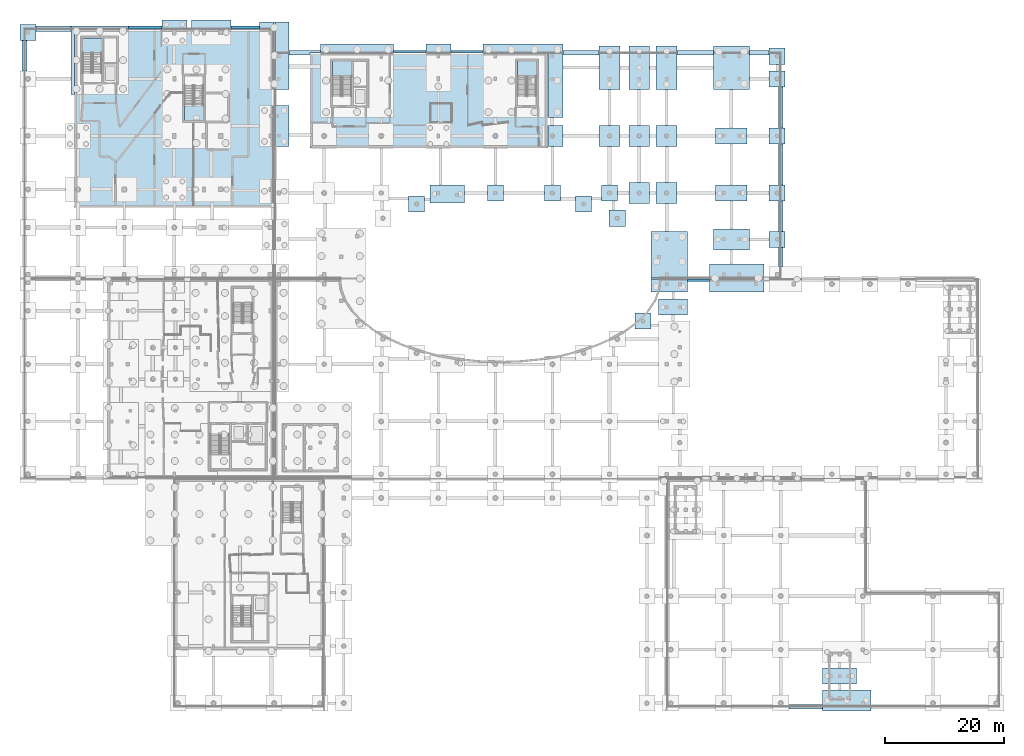
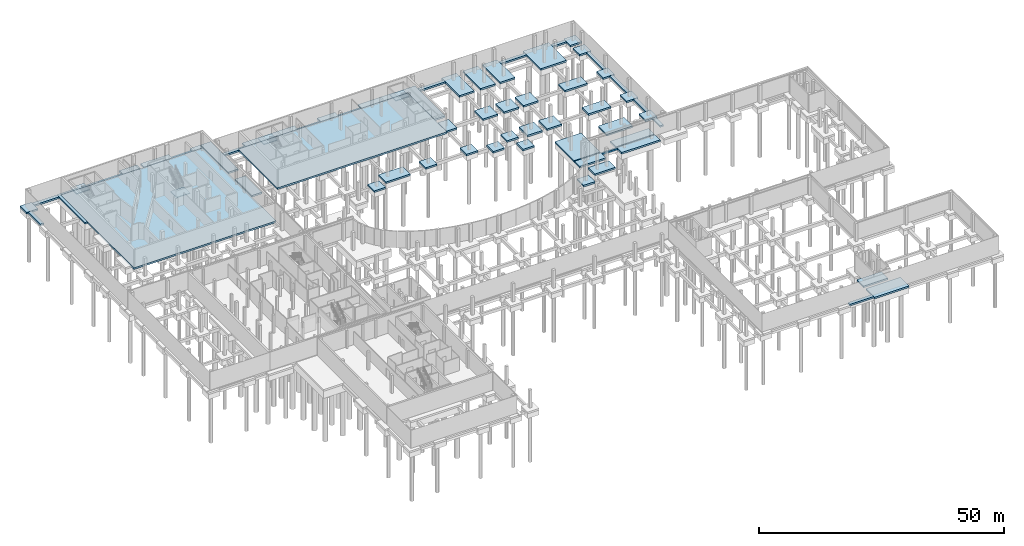
# One storey, part 18 of 40: 65 slabs, 4 elements without a shape of their own.
"""IFC4 building model written with IfcOpenShell, lengths in metres."""

from ifc_helpers import new_model, si_unit, direction, frame, origin, place, context, subcontext, project, spatial, polyline, outline, extrude, material, layer, layer_set, type_object, element, aggregate, save


model = new_model("IFC4")

# Units and contexts
model_context = context("Model", 3, precision=1e-05, world=origin(), true_north=direction((0.0, 1.0)))
body_context = subcontext(model_context, "Body", "Model", "MODEL_VIEW")
ifc_project = project(units=[si_unit("LENGTHUNIT", "METRE"), si_unit("AREAUNIT", "SQUARE_METRE"), si_unit("VOLUMEUNIT", "CUBIC_METRE"), si_unit("PLANEANGLEUNIT", "RADIAN"), si_unit("MASSUNIT", "GRAM", prefix="KILO")], contexts=[model_context])

# Site, building, storey
site_placement = place(None, origin())
site = spatial("IfcSite", under=ifc_project, at=site_placement, CompositionType="ELEMENT")
building_placement = place(site_placement, origin())
building = spatial("IfcBuilding", under=site, at=building_placement, Name="Mzevani Central Library", CompositionType="ELEMENT")
storey_placement = place(building_placement, frame((0.0, 0.0, -4.5)))
storey = spatial("IfcBuildingStorey", under=building, at=storey_placement, Name="B1", CompositionType="ELEMENT", Elevation=-4.5)

# Slabs
ifc_material_1 = material(Name="Concrete C40/50", Category="concrete")
ifc_layer_1 = layer(ifc_material_1, 0.419921875, Name="Basement Mat Base Slab 420")
ifc_layer_set_1 = layer_set([ifc_layer_1], Name="Concrete C40/50")
slab_type_1 = type_object("IfcSlabType", Name="Basement Mat Base Slab 420", PredefinedType="BASESLAB", material=ifc_layer_set_1)
slab_1_placement = place(storey_placement, frame((0.0, 0.0, -0.419921875)))
element("IfcSlab", 1, at=slab_1_placement, inside=storey, type_object=slab_type_1, Name="B1 Foundation Plinth Collar (32)", PredefinedType="BASESLAB", context=body_context, shape_type="SweptSolid", body=[
    extrude(outline(polyline([(110.64990234375, 72.550048828125), (115.550048828125, 72.550048828125), (115.550048828125, 69.85009765625), (110.64990234375, 69.85009765625), (110.64990234375, 72.550048828125)])), origin(), (0.0, 0.0, 1.0), 0.419921875),
])
slab_2_placement = place(storey_placement, frame((0.0, 0.0, -0.419921875)))
element("IfcSlab", 2, at=slab_2_placement, inside=storey, type_object=slab_type_1, Name="B1 Foundation Plinth Collar (33)", PredefinedType="BASESLAB", context=body_context, shape_type="SweptSolid", body=[
    extrude(outline(polyline([(109.37890625, 75.89990234375), (115.550048828125, 75.89990234375), (115.550048828125, 73.75), (109.37890625, 73.75), (109.37890625, 75.89990234375)])), origin(), (0.0, 0.0, 1.0), 0.419921875),
])
slab_3_placement = place(storey_placement, frame((0.0, 0.0, -0.419921875)))
element("IfcSlab", 3, at=slab_3_placement, inside=storey, type_object=slab_type_1, Name="B1 Foundation Plinth Collar (34)", PredefinedType="BASESLAB", context=body_context, shape_type="SweptSolid", body=[
    extrude(outline(polyline([(109.37890625, 83.949951171875), (115.550048828125, 83.949951171875), (115.550048828125, 76.10009765625), (109.37890625, 76.10009765625), (109.37890625, 83.949951171875)])), origin(), (0.0, 0.0, 1.0), 0.419921875),
])
slab_4_placement = place(storey_placement, frame((0.0, 0.0, -0.419921875)))
element("IfcSlab", 4, at=slab_4_placement, inside=storey, type_object=slab_type_1, Name="B1 Foundation Plinth Collar (45)", PredefinedType="BASESLAB", context=body_context, shape_type="SweptSolid", body=[
    extrude(outline(polyline([(119.25, 75.89990234375), (128.35009765625, 75.89990234375), (128.35009765625, 73.75), (119.25, 73.75), (119.25, 75.89990234375)])), origin(), (0.0, 0.0, 1.0), 0.419921875),
])
slab_5_placement = place(storey_placement, frame((0.0, 0.0, -0.419921875)))
element("IfcSlab", 5, at=slab_5_placement, inside=storey, type_object=slab_type_1, Name="B1 Foundation Plinth Collar (46)", PredefinedType="BASESLAB", context=body_context, shape_type="SweptSolid", body=[
    extrude(outline(polyline([(119.25, 78.449951171875), (128.35009765625, 78.449951171875), (128.35009765625, 76.10009765625), (119.25, 76.10009765625), (119.25, 78.449951171875)])), origin(), (0.0, 0.0, 1.0), 0.419921875),
])
slab_6_placement = place(storey_placement, frame((0.0, 0.0, -0.419921875)))
element("IfcSlab", 6, at=slab_6_placement, inside=storey, type_object=slab_type_1, Name="B1 Foundation Plinth Collar (69)", PredefinedType="BASESLAB", context=body_context, shape_type="SweptSolid", body=[
    extrude(outline(polyline([(106.674072265625, 70.200927734375), (109.3740234375, 70.200927734375), (109.3740234375, 67.5009765625), (106.674072265625, 67.5009765625), (106.674072265625, 70.200927734375)])), origin(), (0.0, 0.0, 1.0), 0.419921875),
])
slab_7_placement = place(storey_placement, frame((0.0, 0.0, -0.419921875)))
element("IfcSlab", 7, at=slab_7_placement, inside=storey, type_object=slab_type_1, Name="B1 Foundation Plinth Collar (76)", PredefinedType="BASESLAB", context=body_context, shape_type="SweptSolid", body=[
    extrude(outline(polyline([(3.25, 118.75), (5.949951171875, 118.75), (5.949951171875, 116.050048828125), (3.25, 116.050048828125), (3.25, 118.75)])), origin(), (0.0, 0.0, 1.0), 0.419921875),
])
slab_8_placement = place(storey_placement, frame((0.0, 0.0, -0.419921875)))
element("IfcSlab", 8, at=slab_8_placement, inside=storey, type_object=slab_type_1, Name="B1 Foundation Plinth Collar (87)", PredefinedType="BASESLAB", context=body_context, shape_type="SweptSolid", body=[
    extrude(outline(polyline([(31.300048828125, 119.5), (31.300048828125, 118.02001953125), (27.10009765625, 118.02001953125), (27.10009765625, 119.5), (31.300048828125, 119.5)])), origin(), (0.0, 0.0, 1.0), 0.419921875),
])
slab_9_placement = place(storey_placement, frame((0.0, 0.0, -0.419921875)))
element("IfcSlab", 9, at=slab_9_placement, inside=storey, type_object=slab_type_1, Name="B1 Foundation Plinth Collar (89)", PredefinedType="BASESLAB", context=body_context, shape_type="SweptSolid", body=[
    extrude(outline(polyline([(38.75, 119.5), (38.75, 118.02001953125), (32.10009765625, 118.02001953125), (32.10009765625, 119.5), (38.75, 119.5)])), origin(), (0.0, 0.0, 1.0), 0.419921875),
])
slab_10_placement = place(storey_placement, frame((0.0, 0.0, -0.419921875)))
element("IfcSlab", 10, at=slab_10_placement, inside=storey, type_object=slab_type_1, Name="B1 Foundation Plinth Collar (93)", PredefinedType="BASESLAB", context=body_context, shape_type="SweptSolid", body=[
    extrude(outline(polyline([(48.5, 98.25), (46.10009765625, 98.25), (46.10009765625, 105.10009765625), (48.5, 105.10009765625), (48.5, 98.25)])), origin(), (0.0, 0.0, 1.0), 0.419921875),
])
slab_11_placement = place(storey_placement, frame((0.0, 0.0, -0.419921875)))
element("IfcSlab", 11, at=slab_11_placement, inside=storey, type_object=slab_type_1, Name="B1 Foundation Plinth Collar (94)", PredefinedType="BASESLAB", context=body_context, shape_type="SweptSolid", body=[
    extrude(outline(polyline([(45.89990234375, 119.14990234375), (45.89990234375, 118.02001953125), (43.550048828125, 118.02001953125), (43.550048828125, 119.14990234375), (45.89990234375, 119.14990234375)])), origin(), (0.0, 0.0, 1.0), 0.419921875),
])
slab_12_placement = place(storey_placement, frame((0.0, 0.0, -0.419921875)))
element("IfcSlab", 12, at=slab_12_placement, inside=storey, type_object=slab_type_1, Name="B1 Foundation Plinth Collar (95)", PredefinedType="BASESLAB", context=body_context, shape_type="SweptSolid", body=[
    extrude(outline(polyline([(48.5, 119.14990234375), (48.5, 107.85009765625), (46.10009765625, 107.85009765625), (46.10009765625, 119.14990234375), (48.5, 119.14990234375)])), origin(), (0.0, 0.0, 1.0), 0.419921875),
])
slab_13_placement = place(storey_placement, frame((0.0, 0.0, -0.419921875)))
element("IfcSlab", 13, at=slab_13_placement, inside=storey, type_object=slab_type_1, Name="B1 Foundation Plinth Collar (98)", PredefinedType="BASESLAB", context=body_context, shape_type="SweptSolid", body=[
    extrude(outline(polyline([(66.10009765625, 115.5), (66.10009765625, 114.02001953125), (53.800048828125, 114.02001953125), (53.800048828125, 115.5), (66.10009765625, 115.5)])), origin(), (0.0, 0.0, 1.0), 0.419921875),
])
slab_14_placement = place(storey_placement, frame((0.0, 0.0, -0.419921875)))
element("IfcSlab", 14, at=slab_14_placement, inside=storey, type_object=slab_type_1, Name="B1 Foundation Plinth Collar (99)", PredefinedType="BASESLAB", context=body_context, shape_type="SweptSolid", body=[
    extrude(outline(polyline([(72.25, 91.75), (78.02197265625, 91.75), (78.02197265625, 88.74609375), (72.25, 88.74609375), (72.25, 91.75)])), origin(), (0.0, 0.0, 1.0), 0.419921875),
])
slab_15_placement = place(storey_placement, frame((0.0, 0.0, -0.419921875)))
element("IfcSlab", 15, at=slab_15_placement, inside=storey, type_object=slab_type_1, Name="B1 Foundation Plinth Collar (100)", PredefinedType="BASESLAB", context=body_context, shape_type="SweptSolid", body=[
    extrude(outline(polyline([(75.699951171875, 115.5), (75.699951171875, 114.02001953125), (71.5, 114.02001953125), (71.5, 115.5), (75.699951171875, 115.5)])), origin(), (0.0, 0.0, 1.0), 0.419921875),
])
slab_16_placement = place(storey_placement, frame((0.0, 0.0, -0.419921875)))
element("IfcSlab", 16, at=slab_16_placement, inside=storey, type_object=slab_type_1, Name="B1 Foundation Plinth Collar (101)", PredefinedType="BASESLAB", context=body_context, shape_type="SweptSolid", body=[
    extrude(outline(polyline([(81.85009765625, 91.75), (84.550048828125, 91.75), (84.550048828125, 89.050048828125), (81.85009765625, 89.050048828125), (81.85009765625, 91.75)])), origin(), (0.0, 0.0, 1.0), 0.419921875),
])
slab_17_placement = place(storey_placement, frame((0.0, 0.0, -0.419921875)))
element("IfcSlab", 17, at=slab_17_placement, inside=storey, type_object=slab_type_1, Name="B1 Foundation Plinth Collar (102)", PredefinedType="BASESLAB", context=body_context, shape_type="SweptSolid", body=[
    extrude(outline(polyline([(94.550048828125, 115.5), (94.550048828125, 103.10009765625), (92.02001953125, 103.10009765625), (92.0126953125, 114.015380859375), (81.10009765625, 114.02001953125), (81.10009765625, 115.5), (94.550048828125, 115.5)])), origin(), (0.0, 0.0, 1.0), 0.419921875),
])
slab_18_placement = place(storey_placement, frame((0.0, 0.0, -0.419921875)))
element("IfcSlab", 18, at=slab_18_placement, inside=storey, type_object=slab_type_1, Name="B1 Foundation Plinth Collar (103)", PredefinedType="BASESLAB", context=body_context, shape_type="SweptSolid", body=[
    extrude(outline(polyline([(91.449951171875, 91.75), (94.14990234375, 91.75), (94.14990234375, 89.050048828125), (91.449951171875, 89.050048828125), (91.449951171875, 91.75)])), origin(), (0.0, 0.0, 1.0), 0.419921875),
])
slab_19_placement = place(storey_placement, frame((0.0, 0.0, -0.419921875)))
element("IfcSlab", 19, at=slab_19_placement, inside=storey, type_object=slab_type_1, Name="B1 Foundation Plinth Collar (104)", PredefinedType="BASESLAB", context=body_context, shape_type="SweptSolid", body=[
    extrude(outline(polyline([(94.550048828125, 98.25), (92.02001953125, 98.25), (92.02001953125, 101.75), (94.550048828125, 101.75), (94.550048828125, 98.25)])), origin(), (0.0, 0.0, 1.0), 0.419921875),
])
slab_20_placement = place(storey_placement, frame((0.0, 0.0, -0.419921875)))
element("IfcSlab", 20, at=slab_20_placement, inside=storey, type_object=slab_type_1, Name="B1 Foundation Plinth Collar (105)", PredefinedType="BASESLAB", context=body_context, shape_type="SweptSolid", body=[
    extrude(outline(polyline([(101.050048828125, 91.75), (103.75, 91.75), (103.75, 89.050048828125), (101.050048828125, 89.050048828125), (101.050048828125, 91.75)])), origin(), (0.0, 0.0, 1.0), 0.419921875),
])
slab_21_placement = place(storey_placement, frame((0.0, 0.0, -0.419921875)))
element("IfcSlab", 21, at=slab_21_placement, inside=storey, type_object=slab_type_1, Name="B1 Foundation Plinth Collar (106)", PredefinedType="BASESLAB", context=body_context, shape_type="SweptSolid", body=[
    extrude(outline(polyline([(100.64990234375, 101.75), (104.14990234375, 101.75), (104.14990234375, 98.25), (100.64990234375, 98.25), (100.64990234375, 101.75)])), origin(), (0.0, 0.0, 1.0), 0.419921875),
])
slab_22_placement = place(storey_placement, frame((0.0, 0.0, -0.419921875)))
element("IfcSlab", 22, at=slab_22_placement, inside=storey, type_object=slab_type_1, Name="B1 Foundation Plinth Collar (107)", PredefinedType="BASESLAB", context=body_context, shape_type="SweptSolid", body=[
    extrude(outline(polyline([(100.64990234375, 115.14990234375), (104.14990234375, 115.14990234375), (104.14990234375, 107.85009765625), (100.64990234375, 107.85009765625), (100.64990234375, 115.14990234375)])), origin(), (0.0, 0.0, 1.0), 0.419921875),
])
slab_23_placement = place(storey_placement, frame((0.0, 0.0, -0.419921875)))
element("IfcSlab", 23, at=slab_23_placement, inside=storey, type_object=slab_type_1, Name="B1 Foundation Plinth Collar (108)", PredefinedType="BASESLAB", context=body_context, shape_type="SweptSolid", body=[
    extrude(outline(polyline([(105.64990234375, 92.14990234375), (109.14990234375, 92.14990234375), (109.14990234375, 88.64990234375), (105.64990234375, 88.64990234375), (105.64990234375, 92.14990234375)])), origin(), (0.0, 0.0, 1.0), 0.419921875),
])
slab_24_placement = place(storey_placement, frame((0.0, 0.0, -0.419921875)))
element("IfcSlab", 24, at=slab_24_placement, inside=storey, type_object=slab_type_1, Name="B1 Foundation Plinth Collar (109)", PredefinedType="BASESLAB", context=body_context, shape_type="SweptSolid", body=[
    extrude(outline(polyline([(105.64990234375, 101.75), (109.14990234375, 101.75), (109.14990234375, 98.25), (105.64990234375, 98.25), (105.64990234375, 101.75)])), origin(), (0.0, 0.0, 1.0), 0.419921875),
])
slab_25_placement = place(storey_placement, frame((0.0, 0.0, -0.419921875)))
element("IfcSlab", 25, at=slab_25_placement, inside=storey, type_object=slab_type_1, Name="B1 Foundation Plinth Collar (110)", PredefinedType="BASESLAB", context=body_context, shape_type="SweptSolid", body=[
    extrude(outline(polyline([(105.64990234375, 115.14990234375), (109.14990234375, 115.14990234375), (109.14990234375, 107.85009765625), (105.64990234375, 107.85009765625), (105.64990234375, 115.14990234375)])), origin(), (0.0, 0.0, 1.0), 0.419921875),
])
slab_26_placement = place(storey_placement, frame((0.0, 0.0, -0.419921875)))
element("IfcSlab", 26, at=slab_26_placement, inside=storey, type_object=slab_type_1, Name="B1 Foundation Plinth Collar (111)", PredefinedType="BASESLAB", context=body_context, shape_type="SweptSolid", body=[
    extrude(outline(polyline([(110.25, 92.14990234375), (113.75, 92.14990234375), (113.75, 88.64990234375), (110.25, 88.64990234375), (110.25, 92.14990234375)])), origin(), (0.0, 0.0, 1.0), 0.419921875),
])
slab_27_placement = place(storey_placement, frame((0.0, 0.0, -0.419921875)))
element("IfcSlab", 27, at=slab_27_placement, inside=storey, type_object=slab_type_1, Name="B1 Foundation Plinth Collar (112)", PredefinedType="BASESLAB", context=body_context, shape_type="SweptSolid", body=[
    extrude(outline(polyline([(110.25, 101.75), (113.75, 101.75), (113.75, 98.25), (110.25, 98.25), (110.25, 101.75)])), origin(), (0.0, 0.0, 1.0), 0.419921875),
])
slab_28_placement = place(storey_placement, frame((0.0, 0.0, -0.419921875)))
element("IfcSlab", 28, at=slab_28_placement, inside=storey, type_object=slab_type_1, Name="B1 Foundation Plinth Collar (113)", PredefinedType="BASESLAB", context=body_context, shape_type="SweptSolid", body=[
    extrude(outline(polyline([(110.25, 115.14990234375), (113.75, 115.14990234375), (113.75, 107.85009765625), (110.25, 107.85009765625), (110.25, 115.14990234375)])), origin(), (0.0, 0.0, 1.0), 0.419921875),
])
slab_29_placement = place(storey_placement, frame((0.0, 0.0, -0.419921875)))
element("IfcSlab", 29, at=slab_29_placement, inside=storey, type_object=slab_type_1, Name="B1 Foundation Plinth Collar (114)", PredefinedType="BASESLAB", context=body_context, shape_type="SweptSolid", body=[
    extrude(outline(polyline([(119.85009765625, 84.35009765625), (125.949951171875, 84.35009765625), (125.949951171875, 80.85009765625), (119.85009765625, 80.85009765625), (119.85009765625, 84.35009765625)])), origin(), (0.0, 0.0, 1.0), 0.419921875),
])
slab_30_placement = place(storey_placement, frame((0.0, 0.0, -0.419921875)))
element("IfcSlab", 30, at=slab_30_placement, inside=storey, type_object=slab_type_1, Name="B1 Foundation Plinth Collar (115)", PredefinedType="BASESLAB", context=body_context, shape_type="SweptSolid", body=[
    extrude(outline(polyline([(120.25, 91.75), (125.550048828125, 91.75), (125.550048828125, 89.050048828125), (120.25, 89.050048828125), (120.25, 91.75)])), origin(), (0.0, 0.0, 1.0), 0.419921875),
])
slab_31_placement = place(storey_placement, frame((0.0, 0.0, -0.419921875)))
element("IfcSlab", 31, at=slab_31_placement, inside=storey, type_object=slab_type_1, Name="B1 Foundation Plinth Collar (116)", PredefinedType="BASESLAB", context=body_context, shape_type="SweptSolid", body=[
    extrude(outline(polyline([(120.25, 101.35009765625), (125.550048828125, 101.35009765625), (125.550048828125, 98.64990234375), (120.25, 98.64990234375), (120.25, 101.35009765625)])), origin(), (0.0, 0.0, 1.0), 0.419921875),
])
slab_32_placement = place(storey_placement, frame((0.0, 0.0, -0.419921875)))
element("IfcSlab", 32, at=slab_32_placement, inside=storey, type_object=slab_type_1, Name="B1 Foundation Plinth Collar (117)", PredefinedType="BASESLAB", context=body_context, shape_type="SweptSolid", body=[
    extrude(outline(polyline([(119.85009765625, 115.14990234375), (125.949951171875, 115.14990234375), (125.949951171875, 107.85009765625), (119.85009765625, 107.85009765625), (119.85009765625, 115.14990234375)])), origin(), (0.0, 0.0, 1.0), 0.419921875),
])
slab_33_placement = place(storey_placement, frame((0.0, 0.0, -0.419921875)))
element("IfcSlab", 33, at=slab_33_placement, inside=storey, type_object=slab_type_1, Name="B1 Foundation Plinth Collar (118)", PredefinedType="BASESLAB", context=body_context, shape_type="SweptSolid", body=[
    extrude(outline(polyline([(129.25, 83.949951171875), (131.949951171875, 83.949951171875), (131.949951171875, 81.25), (129.25, 81.25), (129.25, 83.949951171875)])), origin(), (0.0, 0.0, 1.0), 0.419921875),
])
slab_34_placement = place(storey_placement, frame((0.0, 0.0, -0.419921875)))
element("IfcSlab", 34, at=slab_34_placement, inside=storey, type_object=slab_type_1, Name="B1 Foundation Plinth Collar (119)", PredefinedType="BASESLAB", context=body_context, shape_type="SweptSolid", body=[
    extrude(outline(polyline([(129.25, 91.75), (131.949951171875, 91.75), (131.949951171875, 89.050048828125), (129.25, 89.050048828125), (129.25, 91.75)])), origin(), (0.0, 0.0, 1.0), 0.419921875),
])
slab_35_placement = place(storey_placement, frame((0.0, 0.0, -0.419921875)))
element("IfcSlab", 35, at=slab_35_placement, inside=storey, type_object=slab_type_1, Name="B1 Foundation Plinth Collar (120)", PredefinedType="BASESLAB", context=body_context, shape_type="SweptSolid", body=[
    extrude(outline(polyline([(129.25, 101.35009765625), (131.949951171875, 101.35009765625), (131.949951171875, 98.64990234375), (129.25, 98.64990234375), (129.25, 101.35009765625)])), origin(), (0.0, 0.0, 1.0), 0.419921875),
])
slab_36_placement = place(storey_placement, frame((0.0, 0.0, -0.419921875)))
element("IfcSlab", 36, at=slab_36_placement, inside=storey, type_object=slab_type_1, Name="B1 Foundation Plinth Collar (121)", PredefinedType="BASESLAB", context=body_context, shape_type="SweptSolid", body=[
    extrude(outline(polyline([(129.25, 110.949951171875), (131.949951171875, 110.949951171875), (131.949951171875, 108.25), (129.25, 108.25), (129.25, 110.949951171875)])), origin(), (0.0, 0.0, 1.0), 0.419921875),
])
slab_37_placement = place(storey_placement, frame((0.0, 0.0, -0.419921875)))
element("IfcSlab", 37, at=slab_37_placement, inside=storey, type_object=slab_type_1, Name="B1 Foundation Plinth Collar (122)", PredefinedType="BASESLAB", context=body_context, shape_type="SweptSolid", body=[
    extrude(outline(polyline([(129.25, 114.75), (131.949951171875, 114.75), (131.949951171875, 112.050048828125), (129.25, 112.050048828125), (129.25, 114.75)])), origin(), (0.0, 0.0, 1.0), 0.419921875),
])
slab_38_placement = place(storey_placement, frame((0.0, 0.0, -0.419921875)))
element("IfcSlab", 38, at=slab_38_placement, inside=storey, type_object=slab_type_1, Name="B1 Foundation Plinth Collar (123)", PredefinedType="BASESLAB", context=body_context, shape_type="SweptSolid", body=[
    extrude(outline(polyline([(102.35595703125, 87.506103515625), (105.055908203125, 87.506103515625), (105.055908203125, 84.805908203125), (102.35595703125, 84.805908203125), (102.35595703125, 87.506103515625)])), origin(), (0.0, 0.0, 1.0), 0.419921875),
])
slab_39_placement = place(storey_placement, frame((0.0, 0.0, -0.419921875)))
element("IfcSlab", 39, at=slab_39_placement, inside=storey, type_object=slab_type_1, Name="B1 Foundation Plinth Collar (124)", PredefinedType="BASESLAB", context=body_context, shape_type="SweptSolid", body=[
    extrude(outline(polyline([(96.68408203125, 89.8779296875), (99.384033203125, 89.8779296875), (99.384033203125, 87.177978515625), (96.68408203125, 87.177978515625), (96.68408203125, 89.8779296875)])), origin(), (0.0, 0.0, 1.0), 0.419921875),
])
slab_40_placement = place(storey_placement, frame((0.0, 0.0, -0.419921875)))
element("IfcSlab", 40, at=slab_40_placement, inside=storey, type_object=slab_type_1, Name="B1 Foundation Plinth Collar (125)", PredefinedType="BASESLAB", context=body_context, shape_type="SweptSolid", body=[
    extrude(outline(polyline([(68.615966796875, 89.8779296875), (71.31591796875, 89.8779296875), (71.31591796875, 87.177978515625), (68.615966796875, 87.177978515625), (68.615966796875, 89.8779296875)])), origin(), (0.0, 0.0, 1.0), 0.419921875),
])
slab_41_placement = place(storey_placement, frame((0.0, 0.0, -0.419921875)))
element("IfcSlab", 41, at=slab_41_placement, inside=storey, type_object=slab_type_1, Name="B1 Foundation Plinth Collar (170)", PredefinedType="BASESLAB", context=body_context, shape_type="SweptSolid", body=[
    extrude(outline(polyline([(138.25, 6.85009765625), (146.35009765625, 6.85009765625), (146.35009765625, 3.25), (138.25, 3.25), (138.25, 6.85009765625)])), origin(), (0.0, 0.0, 1.0), 0.419921875),
])
slab_42_placement = place(storey_placement, frame((0.0, 0.0, -0.419921875)))
element("IfcSlab", 42, at=slab_42_placement, inside=storey, type_object=slab_type_1, Name="B1 Foundation Plinth Collar (196)", PredefinedType="BASESLAB", context=body_context, shape_type="SweptSolid", body=[
    extrude(outline(polyline([(11.800048828125, 118.5), (21.5, 118.5), (21.5, 118.02001953125), (12.384521484375, 118.0126953125), (12.3798828125, 107.0), (11.800048828125, 107.0), (11.800048828125, 118.5)])), origin(), (0.0, 0.0, 1.0), 0.419921875),
])
slab_43_placement = place(storey_placement, frame((0.0, 0.0, -0.419921875)))
element("IfcSlab", 43, at=slab_43_placement, inside=storey, type_object=slab_type_1, Name="B1 Foundation Plinth Collar (199)", PredefinedType="BASESLAB", context=body_context, shape_type="SweptSolid", body=[
    extrude(outline(polyline([(138.25, 10.5), (143.949951171875, 10.5), (143.949951171875, 7.800048828125), (138.25, 7.800048828125), (138.25, 10.5)])), origin(), (0.0, 0.0, 1.0), 0.419921875),
])
slab_44_placement = place(storey_placement, frame((0.0, 0.0, -0.419921875)))
element("IfcSlab", 44, at=slab_44_placement, inside=storey, type_object=slab_type_1, Name="B1 Strip Footing Plinth Collar (229)", PredefinedType="BASESLAB", context=body_context, shape_type="SweptSolid", body=[
    extrude(outline(polyline([(119.25, 75.5), (115.550048828125, 75.5), (115.550048828125, 75.89990234375), (119.25, 75.89990234375), (119.25, 75.5)])), origin(), (0.0, 0.0, 1.0), 0.419921875),
])
slab_45_placement = place(storey_placement, frame((0.0, 0.0, -0.419921875)))
element("IfcSlab", 45, at=slab_45_placement, inside=storey, type_object=slab_type_1, Name="B1 Strip Footing Plinth Collar (233)", PredefinedType="BASESLAB", context=body_context, shape_type="SweptSolid", body=[
    extrude(outline(polyline([(5.949951171875, 118.449951171875), (11.800048828125, 118.449951171875), (11.800048828125, 117.550048828125), (5.949951171875, 117.550048828125), (5.949951171875, 118.449951171875)])), origin(), (0.0, 0.0, 1.0), 0.419921875),
])
slab_46_placement = place(storey_placement, frame((0.0, 0.0, -0.419921875)))
element("IfcSlab", 46, at=slab_46_placement, inside=storey, type_object=slab_type_1, Name="B1 Strip Footing Plinth Collar (234)", PredefinedType="BASESLAB", context=body_context, shape_type="SweptSolid", body=[
    extrude(outline(polyline([(27.10009765625, 118.449951171875), (27.10009765625, 118.02001953125), (21.5, 118.02001953125), (21.5, 118.449951171875), (27.10009765625, 118.449951171875)])), origin(), (0.0, 0.0, 1.0), 0.419921875),
])
slab_47_placement = place(storey_placement, frame((0.0, 0.0, -0.419921875)))
element("IfcSlab", 47, at=slab_47_placement, inside=storey, type_object=slab_type_1, Name="B1 Strip Footing Plinth Collar (235)", PredefinedType="BASESLAB", context=body_context, shape_type="SweptSolid", body=[
    extrude(outline(polyline([(43.550048828125, 118.449951171875), (43.550048828125, 118.02001953125), (38.75, 118.02001953125), (38.75, 118.449951171875), (43.550048828125, 118.449951171875)])), origin(), (0.0, 0.0, 1.0), 0.419921875),
])
slab_48_placement = place(storey_placement, frame((0.0, 0.0, -0.419921875)))
element("IfcSlab", 48, at=slab_48_placement, inside=storey, type_object=slab_type_1, Name="B1 Strip Footing Plinth Collar (240)", PredefinedType="BASESLAB", context=body_context, shape_type="SweptSolid", body=[
    extrude(outline(polyline([(3.60009765625, 110.949951171875), (3.60009765625, 116.050048828125), (4.39990234375, 116.050048828125), (4.39990234375, 110.949951171875), (3.60009765625, 110.949951171875)])), origin(), (0.0, 0.0, 1.0), 0.419921875),
])
slab_49_placement = place(storey_placement, frame((0.0, 0.0, -0.419921875)))
element("IfcSlab", 49, at=slab_49_placement, inside=storey, type_object=slab_type_1, Name="B1 Strip Footing Plinth Collar (245)", PredefinedType="BASESLAB", context=body_context, shape_type="SweptSolid", body=[
    extrude(outline(polyline([(129.25, 113.60009765625), (125.949951171875, 113.60009765625), (125.949951171875, 114.39990234375), (129.25, 114.39990234375), (129.25, 113.60009765625)])), origin(), (0.0, 0.0, 1.0), 0.419921875),
])
slab_50_placement = place(storey_placement, frame((0.0, 0.0, -0.419921875)))
element("IfcSlab", 50, at=slab_50_placement, inside=storey, type_object=slab_type_1, Name="B1 Strip Footing Plinth Collar (246)", PredefinedType="BASESLAB", context=body_context, shape_type="SweptSolid", body=[
    extrude(outline(polyline([(119.85009765625, 113.60009765625), (113.75, 113.60009765625), (113.75, 114.39990234375), (119.85009765625, 114.39990234375), (119.85009765625, 113.60009765625)])), origin(), (0.0, 0.0, 1.0), 0.419921875),
])
slab_51_placement = place(storey_placement, frame((0.0, 0.0, -0.419921875)))
element("IfcSlab", 51, at=slab_51_placement, inside=storey, type_object=slab_type_1, Name="B1 Strip Footing Plinth Collar (247)", PredefinedType="BASESLAB", context=body_context, shape_type="SweptSolid", body=[
    extrude(outline(polyline([(100.64990234375, 113.60009765625), (94.550048828125, 113.60009765625), (94.550048828125, 114.39990234375), (100.64990234375, 114.39990234375), (100.64990234375, 113.60009765625)])), origin(), (0.0, 0.0, 1.0), 0.419921875),
])
slab_52_placement = place(storey_placement, frame((0.0, 0.0, -0.419921875)))
element("IfcSlab", 52, at=slab_52_placement, inside=storey, type_object=slab_type_1, Name="B1 Strip Footing Plinth Collar (248)", PredefinedType="BASESLAB", context=body_context, shape_type="SweptSolid", body=[
    extrude(outline(polyline([(81.10009765625, 114.02001953125), (75.699951171875, 114.02001953125), (75.699951171875, 114.39990234375), (81.10009765625, 114.39990234375), (81.10009765625, 114.02001953125)])), origin(), (0.0, 0.0, 1.0), 0.419921875),
])
slab_53_placement = place(storey_placement, frame((0.0, 0.0, -0.419921875)))
element("IfcSlab", 53, at=slab_53_placement, inside=storey, type_object=slab_type_1, Name="B1 Strip Footing Plinth Collar (249)", PredefinedType="BASESLAB", context=body_context, shape_type="SweptSolid", body=[
    extrude(outline(polyline([(71.5, 114.02001953125), (66.10009765625, 114.02001953125), (66.10009765625, 114.39990234375), (71.5, 114.39990234375), (71.5, 114.02001953125)])), origin(), (0.0, 0.0, 1.0), 0.419921875),
])
slab_54_placement = place(storey_placement, frame((0.0, 0.0, -0.419921875)))
element("IfcSlab", 54, at=slab_54_placement, inside=storey, type_object=slab_type_1, Name="B1 Strip Footing Plinth Collar (250)", PredefinedType="BASESLAB", context=body_context, shape_type="SweptSolid", body=[
    extrude(outline(polyline([(53.800048828125, 114.02001953125), (51.99609375, 114.01953125), (51.97998046875, 113.60009765625), (48.5, 113.60009765625), (48.5, 114.39990234375), (53.800048828125, 114.39990234375), (53.800048828125, 114.02001953125)])), origin(), (0.0, 0.0, 1.0), 0.419921875),
])
slab_55_placement = place(storey_placement, frame((0.0, 0.0, -0.419921875)))
element("IfcSlab", 55, at=slab_55_placement, inside=storey, type_object=slab_type_1, Name="B1 Strip Footing Plinth Collar (251)", PredefinedType="BASESLAB", context=body_context, shape_type="SweptSolid", body=[
    extrude(outline(polyline([(130.800048828125, 78.050048828125), (130.800048828125, 81.25), (131.60009765625, 81.25), (131.60009765625, 78.050048828125), (130.800048828125, 78.050048828125)])), origin(), (0.0, 0.0, 1.0), 0.419921875),
])
slab_56_placement = place(storey_placement, frame((0.0, 0.0, -0.419921875)))
element("IfcSlab", 56, at=slab_56_placement, inside=storey, type_object=slab_type_1, Name="B1 Strip Footing Plinth Collar (252)", PredefinedType="BASESLAB", context=body_context, shape_type="SweptSolid", body=[
    extrude(outline(polyline([(130.800048828125, 83.949951171875), (130.800048828125, 89.050048828125), (131.60009765625, 89.050048828125), (131.60009765625, 83.949951171875), (130.800048828125, 83.949951171875)])), origin(), (0.0, 0.0, 1.0), 0.419921875),
])
slab_57_placement = place(storey_placement, frame((0.0, 0.0, -0.419921875)))
element("IfcSlab", 57, at=slab_57_placement, inside=storey, type_object=slab_type_1, Name="B1 Strip Footing Plinth Collar (253)", PredefinedType="BASESLAB", context=body_context, shape_type="SweptSolid", body=[
    extrude(outline(polyline([(130.800048828125, 91.75), (130.800048828125, 98.64990234375), (131.60009765625, 98.64990234375), (131.60009765625, 91.75), (130.800048828125, 91.75)])), origin(), (0.0, 0.0, 1.0), 0.419921875),
])
slab_58_placement = place(storey_placement, frame((0.0, 0.0, -0.419921875)))
element("IfcSlab", 58, at=slab_58_placement, inside=storey, type_object=slab_type_1, Name="B1 Strip Footing Plinth Collar (254)", PredefinedType="BASESLAB", context=body_context, shape_type="SweptSolid", body=[
    extrude(outline(polyline([(130.800048828125, 101.35009765625), (130.800048828125, 108.25), (131.60009765625, 108.25), (131.60009765625, 101.35009765625), (130.800048828125, 101.35009765625)])), origin(), (0.0, 0.0, 1.0), 0.419921875),
])
slab_59_placement = place(storey_placement, frame((0.0, 0.0, -0.419921875)))
element("IfcSlab", 59, at=slab_59_placement, inside=storey, type_object=slab_type_1, Name="B1 Strip Footing Plinth Collar (275)", PredefinedType="BASESLAB", context=body_context, shape_type="SweptSolid", body=[
    extrude(outline(polyline([(132.550048828125, 4.39990234375), (138.25, 4.39990234375), (138.25, 3.60009765625), (132.550048828125, 3.60009765625), (132.550048828125, 4.39990234375)])), origin(), (0.0, 0.0, 1.0), 0.419921875),
])
slab_60_placement = place(storey_placement, frame((0.0, 0.0, -0.419921875)))
element("IfcSlab", 60, at=slab_60_placement, inside=storey, type_object=slab_type_1, Name="B1 V2 Structural Slab GS-02", PredefinedType="BASESLAB", context=body_context, shape_type="SweptSolid", body=[
    extrude(outline(polyline([(45.89990234375, 88.0), (12.39990234375, 88.0), (12.39990234375, 118.0), (45.89990234375, 118.0), (45.89990234375, 88.0)])), origin(), (0.0, 0.0, 1.0), 0.419921875),
])
slab_61_placement = place(storey_placement, frame((0.0, 0.0, -0.419921875)))
element("IfcSlab", 61, at=slab_61_placement, inside=storey, type_object=slab_type_1, Name="B1 V3 Structural Slab GS-02", PredefinedType="BASESLAB", context=body_context, shape_type="SweptSolid", body=[
    extrude(outline(polyline([(92.0, 98.0), (52.0, 98.0), (52.0, 114.0), (92.0, 114.0), (92.0, 98.0)])), origin(), (0.0, 0.0, 1.0), 0.419921875),
])

# Stair, slab
ifc_material_2 = material(Name="Concrete C35/45", Category="concrete")
stair_type = type_object("IfcStairType", Name="Dogleg Exit Stair 173x280", PredefinedType="HALF_TURN_STAIR", material=ifc_material_2)
stair_1_placement = place(storey_placement, origin())
stair_1 = element("IfcStair", 62, at=stair_1_placement, inside=storey, type_object=stair_type, Name="B1 Core C2A North-West Firefighting Core Exit Stair ST-03", PredefinedType="HALF_TURN_STAIR")
ifc_layer_2 = layer(ifc_material_2, 0.199951171875, Name="Stair Landing Slab 200")
ifc_layer_set_2 = layer_set([ifc_layer_2], Name="Concrete C35/45")
slab_type_2 = type_object("IfcSlabType", Name="Stair Landing Slab 200", PredefinedType="LANDING", material=ifc_layer_set_2)
slab_62_placement = place(storey_placement, frame((0.0, 0.0, 2.050048828125)))
slab_62 = element("IfcSlab", 63, at=slab_62_placement, type_object=slab_type_2, Name="ST-03 landing 1", PredefinedType="LANDING", context=body_context, shape_type="SweptSolid", body=[
    extrude(outline(polyline([(17.0, 113.9599609375), (17.0, 116.5), (13.800048828125, 116.5), (13.800048828125, 113.9599609375), (17.0, 113.9599609375)])), origin(), (0.0, 0.0, 1.0), 0.199951171875),
])
aggregate(stair_1, [slab_62])

stair_2_placement = place(storey_placement, origin())
stair_2 = element("IfcStair", 64, at=stair_2_placement, inside=storey, type_object=stair_type, Name="B1 Core C2B Stacks East Escape Stair Exit Stair ST-03", PredefinedType="HALF_TURN_STAIR")
slab_63_placement = place(storey_placement, frame((0.0, 0.0, 2.050048828125)))
slab_63 = element("IfcSlab", 65, at=slab_63_placement, type_object=slab_type_2, Name="ST-04 landing 1", PredefinedType="LANDING", context=body_context, shape_type="SweptSolid", body=[
    extrude(outline(polyline([(30.89990234375, 105.139892578125), (30.89990234375, 102.60009765625), (34.10009765625, 102.60009765625), (34.10009765625, 105.139892578125), (30.89990234375, 105.139892578125)])), origin(), (0.0, 0.0, 1.0), 0.199951171875),
])
aggregate(stair_2, [slab_63])

stair_3_placement = place(storey_placement, origin())
stair_3 = element("IfcStair", 66, at=stair_3_placement, inside=storey, type_object=stair_type, Name="B1 Core C3A North-East Firefighting Core Exit Stair ST-03", PredefinedType="HALF_TURN_STAIR")
slab_64_placement = place(storey_placement, frame((0.0, 0.0, 2.050048828125)))
slab_64 = element("IfcSlab", 67, at=slab_64_placement, type_object=slab_type_2, Name="ST-05 landing 1", PredefinedType="LANDING", context=body_context, shape_type="SweptSolid", body=[
    extrude(outline(polyline([(59.0, 110.06005859375), (59.0, 112.60009765625), (55.800048828125, 112.60009765625), (55.800048828125, 110.06005859375), (59.0, 110.06005859375)])), origin(), (0.0, 0.0, 1.0), 0.199951171875),
])
aggregate(stair_3, [slab_64])

stair_4_placement = place(storey_placement, origin())
stair_4 = element("IfcStair", 68, at=stair_4_placement, inside=storey, type_object=stair_type, Name="B1 Core C3B Atrium East Escape Stair Exit Stair ST-03", PredefinedType="HALF_TURN_STAIR")
slab_65_placement = place(storey_placement, frame((0.0, 0.0, 2.050048828125)))
slab_65 = element("IfcSlab", 69, at=slab_65_placement, type_object=slab_type_2, Name="ST-06 landing 1", PredefinedType="LANDING", context=body_context, shape_type="SweptSolid", body=[
    extrude(outline(polyline([(90.10009765625, 110.06005859375), (90.10009765625, 112.60009765625), (86.89990234375, 112.60009765625), (86.89990234375, 110.06005859375), (90.10009765625, 110.06005859375)])), origin(), (0.0, 0.0, 1.0), 0.199951171875),
])
aggregate(stair_4, [slab_65])

save(model, "model.ifc")
